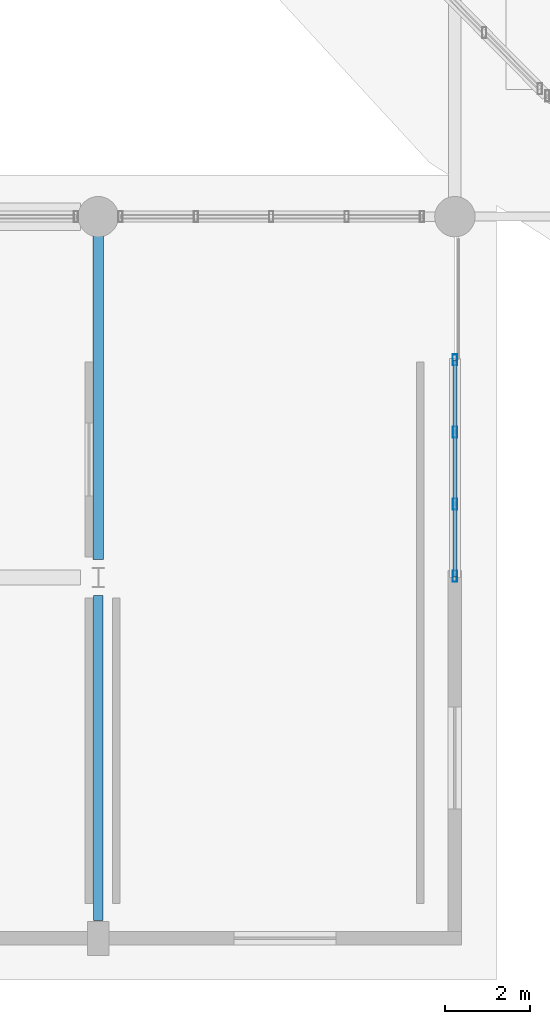
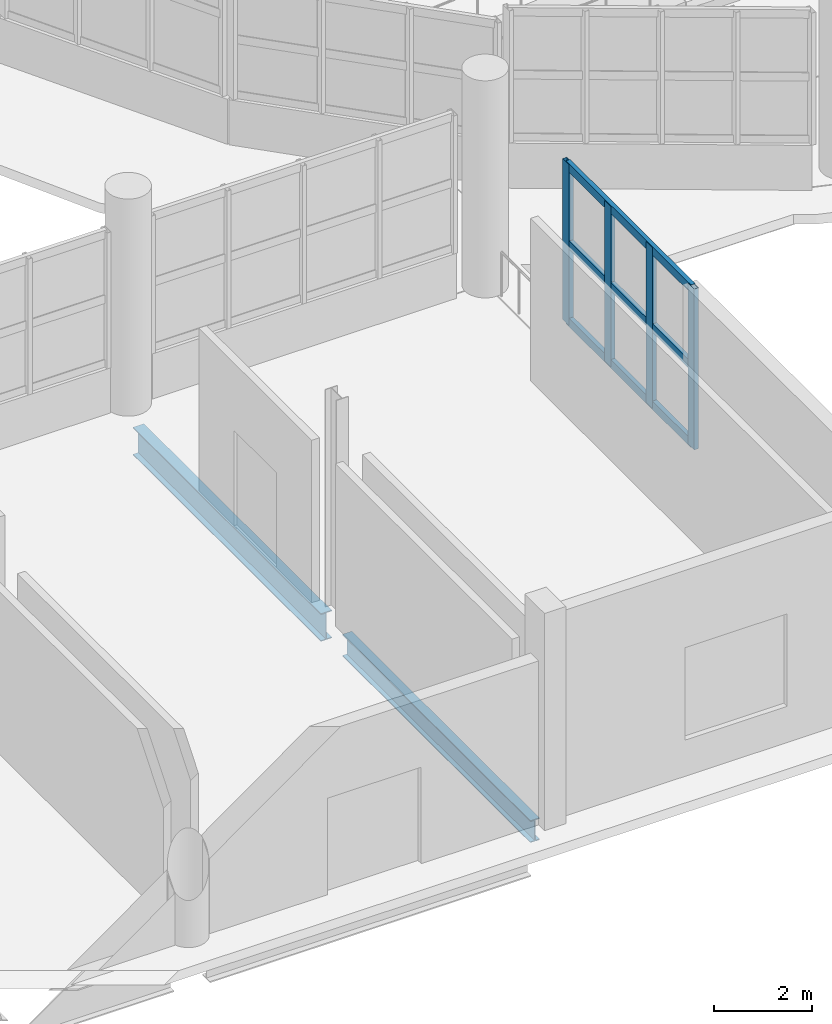
# One storey, part 4 of 107: 7 members, 2 beams, 1 element without a shape of its own.
"""IFC4 building model written with IfcOpenShell, lengths in metres."""

from ifc_helpers import new_model, si_unit, direction, frame, origin, origin_2d, place, context, subcontext, project, spatial, hollow_rectangle, i_section, extrude, material, material_profile, profile_set, type_object, element, aggregate, save


model = new_model("IFC4")

# Units and contexts
model_context = context("Model", 3, precision=1e-05, world=origin(), true_north=direction((0.0, 1.0)))
body_context = subcontext(model_context, "Body", "Model", "MODEL_VIEW")
ifc_project = project(units=[si_unit("LENGTHUNIT", "METRE"), si_unit("AREAUNIT", "SQUARE_METRE"), si_unit("VOLUMEUNIT", "CUBIC_METRE"), si_unit("PLANEANGLEUNIT", "RADIAN"), si_unit("MASSUNIT", "GRAM", prefix="KILO")], contexts=[model_context])

# Site, building, storey
site_placement = place(None, origin())
site = spatial("IfcSite", under=ifc_project, at=site_placement, CompositionType="ELEMENT")
building_placement = place(site_placement, origin())
building = spatial("IfcBuilding", under=site, at=building_placement, Name="Solvento Point Concert Hall", CompositionType="ELEMENT")
storey_placement = place(building_placement, origin())
storey = spatial("IfcBuildingStorey", under=building, at=storey_placement, Name="L00", CompositionType="ELEMENT", Elevation=0.0)

# Beams
ifc_material_1 = material(Name="Structural Steel ASTM A992 Grade 50", Category="steel")
ifc_material_profile_1 = material_profile(ifc_material_1, i_section(OverallWidth=0.214111328125, OverallDepth=0.549072265625, WebThickness=0.0146484375, FlangeThickness=0.023681640625, at=origin_2d()), Name="W21X93")
ifc_profile_set_1 = profile_set([ifc_material_profile_1], Name="Structural Steel ASTM A992 Grade 50")
beam_type_1 = type_object("IfcBeamType", Name="Beam_W21X93", PredefinedType="BEAM", material=ifc_profile_set_1)
beam_1_placement = place(storey_placement, frame((32.39990234375, 0.424072265625, -0.57861328125), z_axis=(0.0, 1.0, 0.0), x_axis=(-1.0, 0.0, 0.0)))
element("IfcBeam", 1, at=beam_1_placement, inside=storey, type_object=beam_type_1, Name="Primary girder B-48 L00", PredefinedType="BEAM", context=body_context, shape_type="SweptSolid", body=[
    extrude(i_section(OverallWidth=0.214111328125, OverallDepth=0.549072265625, WebThickness=0.0146484375, FlangeThickness=0.023681640625, at=origin_2d()), origin(), (0.0, 0.0, 1.0), 7.65185546875),
])
ifc_material_2 = material(Name="Structural Steel ASTM A992 Grade 50", Category="steel")
ifc_material_profile_2 = material_profile(ifc_material_2, i_section(OverallWidth=0.256103515625, OverallDepth=0.693115234375, WebThickness=0.014404296875, FlangeThickness=0.023681640625, at=origin_2d()), Name="W27X114")
ifc_profile_set_2 = profile_set([ifc_material_profile_2], Name="Structural Steel ASTM A992 Grade 50")
beam_type_2 = type_object("IfcBeamType", Name="Girder_W27X114", PredefinedType="USERDEFINED", material=ifc_profile_set_2)
beam_2_placement = place(storey_placement, frame((32.39990234375, 8.924072265625, -0.650390625), z_axis=(0.0, 1.0, 0.0), x_axis=(-1.0, 0.0, 0.0)))
element("IfcBeam", 2, at=beam_2_placement, inside=storey, type_object=beam_type_2, Name="Primary girder B-23 L00", ObjectType="GIRDER", PredefinedType="USERDEFINED", context=body_context, shape_type="SweptSolid", body=[
    extrude(i_section(OverallWidth=0.256103515625, OverallDepth=0.693115234375, WebThickness=0.014404296875, FlangeThickness=0.023681640625, at=origin_2d()), origin(), (0.0, 0.0, 1.0), 7.65185546875),
])

# Curtain wall, members
ifc_material_3 = material(Name="Anodized Bronze Aluminium", Category="aluminium")
curtain_wall_type = type_object("IfcCurtainWallType", Name="CurtainWall_FoyerL00", PredefinedType="USERDEFINED", material=ifc_material_3)
curtain_wall_placement = place(storey_placement, origin())
curtain_wall = element("IfcCurtainWall", 3, at=curtain_wall_placement, inside=storey, type_object=curtain_wall_type, Name="Unitised curtain wall CW-29 UCW-L00-061", ObjectType="UNITISED CURTAIN WALL", PredefinedType="USERDEFINED")
ifc_material_4 = material(Name="Anodized Bronze Aluminium", Category="aluminium")
ifc_material_profile_3 = material_profile(ifc_material_4, hollow_rectangle(XDim=0.10009765625, YDim=0.260009765625, WallThickness=0.0048828125, at=origin_2d()), Name="CW-MUL-100X260")
ifc_profile_set_3 = profile_set([ifc_material_profile_3], Name="Anodized Bronze Aluminium")
member_type_1 = type_object("IfcMemberType", Name="Mullion_100x260", PredefinedType="MULLION", material=ifc_profile_set_3)
member_1_placement = place(storey_placement, frame((40.800048828125, 8.530029296875, 1.1201171875), z_axis=(0.0, 0.0, 1.0), x_axis=(1.0, 0.0, 0.0)))
member_1 = element("IfcMember", 4, at=member_1_placement, type_object=member_type_1, Name="Curtain wall mullion ML-03", PredefinedType="MULLION", context=body_context, shape_type="SweptSolid", body=[
    extrude(hollow_rectangle(XDim=0.10009765625, YDim=0.260009765625, WallThickness=0.0048828125, at=origin_2d()), origin(), (0.0, 0.0, 1.0), 4.0),
])
member_2_placement = place(storey_placement, frame((40.800048828125, 10.228271484375, 1.1201171875), z_axis=(0.0, 0.0, 1.0), x_axis=(1.0, 0.0, 0.0)))
member_2 = element("IfcMember", 5, at=member_2_placement, type_object=member_type_1, Name="Curtain wall mullion ML-03", PredefinedType="MULLION", context=body_context, shape_type="SweptSolid", body=[
    extrude(hollow_rectangle(XDim=0.10009765625, YDim=0.260009765625, WallThickness=0.0048828125, at=origin_2d()), origin(), (0.0, 0.0, 1.0), 4.0),
])
member_3_placement = place(storey_placement, frame((40.800048828125, 11.9267578125, 1.1201171875), z_axis=(0.0, 0.0, 1.0), x_axis=(1.0, 0.0, 0.0)))
member_3 = element("IfcMember", 6, at=member_3_placement, type_object=member_type_1, Name="Curtain wall mullion ML-03", PredefinedType="MULLION", context=body_context, shape_type="SweptSolid", body=[
    extrude(hollow_rectangle(XDim=0.10009765625, YDim=0.260009765625, WallThickness=0.0048828125, at=origin_2d()), origin(), (0.0, 0.0, 1.0), 4.0),
])
member_4_placement = place(storey_placement, frame((40.800048828125, 13.625, 1.1201171875), z_axis=(0.0, 0.0, 1.0), x_axis=(1.0, 0.0, 0.0)))
member_4 = element("IfcMember", 7, at=member_4_placement, type_object=member_type_1, Name="Curtain wall mullion ML-03", PredefinedType="MULLION", context=body_context, shape_type="SweptSolid", body=[
    extrude(hollow_rectangle(XDim=0.10009765625, YDim=0.260009765625, WallThickness=0.0048828125, at=origin_2d()), origin(), (0.0, 0.0, 1.0), 4.0),
])
ifc_material_5 = material(Name="Anodized Bronze Aluminium", Category="aluminium")
ifc_material_profile_4 = material_profile(ifc_material_5, hollow_rectangle(XDim=0.10009765625, YDim=0.2099609375, WallThickness=0.0048828125, at=origin_2d()), Name="CW-TRN-100X210")
ifc_profile_set_4 = profile_set([ifc_material_profile_4], Name="Anodized Bronze Aluminium")
member_type_2 = type_object("IfcMemberType", Name="Transom_100x210", PredefinedType="USERDEFINED", material=ifc_profile_set_4)
member_5_placement = place(storey_placement, frame((40.800048828125, 8.530029296875, 1.199951171875), z_axis=(0.0, 1.0, 0.0), x_axis=(-1.0, 0.0, 0.0)))
member_5 = element("IfcMember", 8, at=member_5_placement, type_object=member_type_2, Name="Curtain wall transom TR-03", ObjectType="TRANSOM", PredefinedType="USERDEFINED", context=body_context, shape_type="SweptSolid", body=[
    extrude(hollow_rectangle(XDim=0.10009765625, YDim=0.2099609375, WallThickness=0.0048828125, at=origin_2d()), origin(), (0.0, 0.0, 1.0), 5.094970703125),
])
member_6_placement = place(storey_placement, frame((40.800048828125, 8.530029296875, 3.1201171875), z_axis=(0.0, 1.0, 0.0), x_axis=(-1.0, 0.0, 0.0)))
member_6 = element("IfcMember", 9, at=member_6_placement, type_object=member_type_2, Name="Curtain wall transom TR-03", ObjectType="TRANSOM", PredefinedType="USERDEFINED", context=body_context, shape_type="SweptSolid", body=[
    extrude(hollow_rectangle(XDim=0.10009765625, YDim=0.2099609375, WallThickness=0.0048828125, at=origin_2d()), origin(), (0.0, 0.0, 1.0), 5.094970703125),
])
member_7_placement = place(storey_placement, frame((40.800048828125, 8.530029296875, 5.0400390625), z_axis=(0.0, 1.0, 0.0), x_axis=(-1.0, 0.0, 0.0)))
member_7 = element("IfcMember", 10, at=member_7_placement, type_object=member_type_2, Name="Curtain wall transom TR-03", ObjectType="TRANSOM", PredefinedType="USERDEFINED", context=body_context, shape_type="SweptSolid", body=[
    extrude(hollow_rectangle(XDim=0.10009765625, YDim=0.2099609375, WallThickness=0.0048828125, at=origin_2d()), origin(), (0.0, 0.0, 1.0), 5.094970703125),
])
aggregate(curtain_wall, [member_1, member_2, member_3, member_4, member_5, member_6, member_7])

save(model, "model.ifc")
